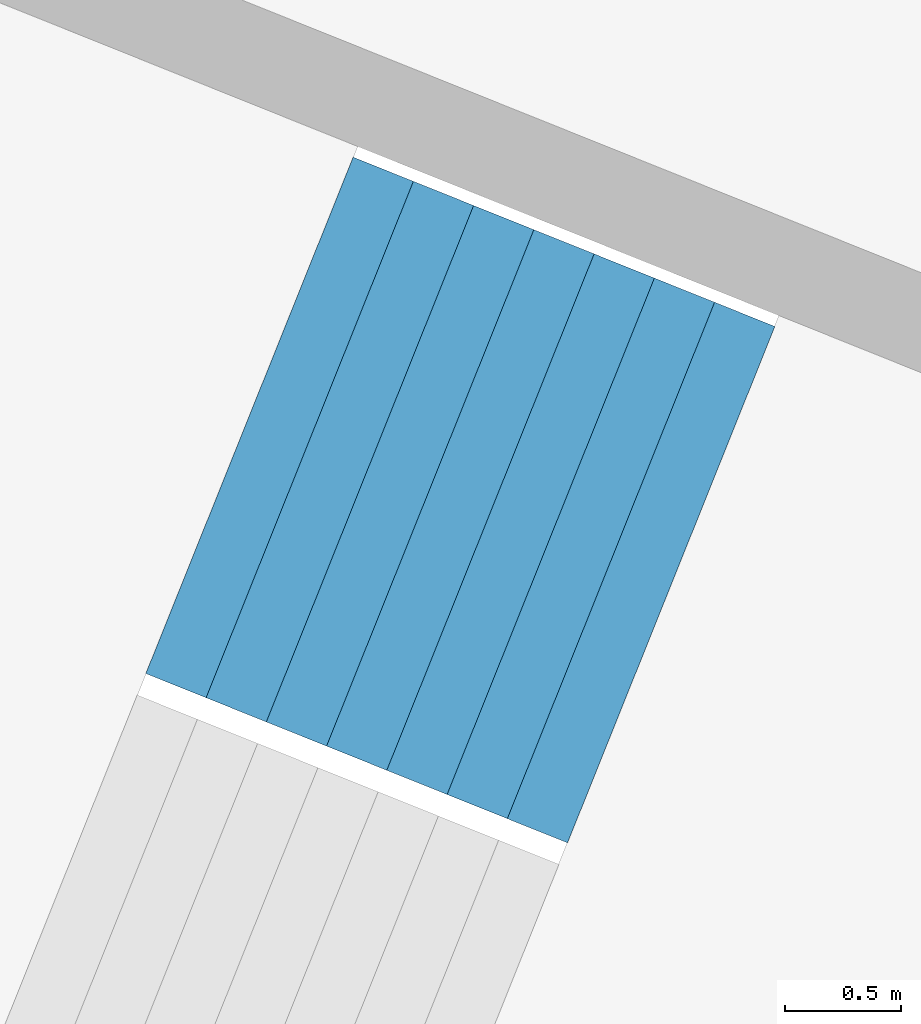
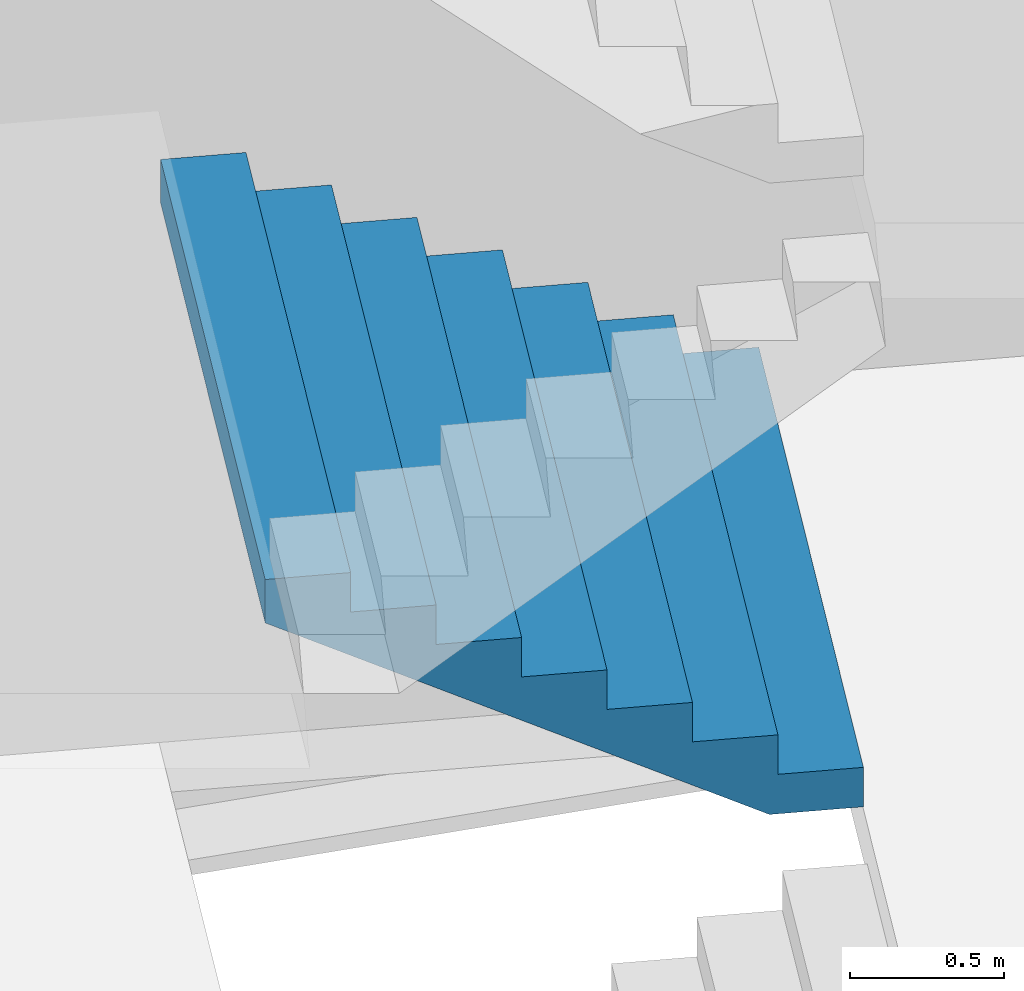
# One storey, part 51 of 73: 1 stair flight, 1 element without a shape of its own.
"""IFC4 building model written with IfcOpenShell, lengths in metres."""

from ifc_helpers import new_model, si_unit, direction, frame, origin, place, context, subcontext, project, spatial, triangles, material, type_object, element, aggregate, save


model = new_model("IFC4")

# Units and contexts
model_context = context("Model", 3, precision=1e-05, world=origin(), true_north=direction((0.0, 1.0)))
body_context = subcontext(model_context, "Body", "Model", "MODEL_VIEW")
ifc_project = project(units=[si_unit("LENGTHUNIT", "METRE"), si_unit("AREAUNIT", "SQUARE_METRE"), si_unit("VOLUMEUNIT", "CUBIC_METRE"), si_unit("PLANEANGLEUNIT", "RADIAN"), si_unit("MASSUNIT", "GRAM", prefix="KILO")], contexts=[model_context])

# Site, building, storey
site_placement = place(None, origin())
site = spatial("IfcSite", under=ifc_project, at=site_placement, CompositionType="ELEMENT")
building_placement = place(site_placement, origin())
building = spatial("IfcBuilding", under=site, at=building_placement, Name="Lantaw Convention Tower", CompositionType="ELEMENT")
storey_placement = place(building_placement, frame((0.0, 0.0, 22.0)))
storey = spatial("IfcBuildingStorey", under=building, at=storey_placement, Name="L03", CompositionType="ELEMENT", Elevation=22.0)

# Stair, stair flight
ifc_material = material(Name="Concrete C35/45", Category="concrete")
stair_type = type_object("IfcStairType", Name="Exit stair 2400 riser 156.25 in 4 flights", PredefinedType="HALF_TURN_STAIR", material=ifc_material)
stair_placement = place(storey_placement, origin())
stair = element("IfcStair", 1, at=stair_placement, inside=storey, type_object=stair_type, Name="Podium exit stair P12 L03", PredefinedType="HALF_TURN_STAIR")
stair_flight_type = type_object("IfcStairFlightType", Name="Stair flight 2400 riser 156.25", PredefinedType="STRAIGHT", material=ifc_material)
stair_flight_placement = place(storey_placement, frame((31.836669921875, -11.43359375, 1.25), z_axis=(0.0, 0.0, 1.0), x_axis=(-0.928015818512, 0.372540790506, 0.0)))
stair_flight = element("IfcStairFlight", 2, at=stair_flight_placement, type_object=stair_flight_type, Name="P12 flight 2", NumberOfRisers=8, NumberOfTreads=7, PredefinedType="STRAIGHT", RiserHeight=0.15625, TreadLength=0.28, context=body_context, shape_type="Tessellation", body=[
    triangles([(0.0, 1.199951171875, 0.0), (0.0, 1.199951171875, 0.15625), (0.28, 1.199951171875, 0.0), (0.28, 1.199951171875, 0.15625), (0.28, 1.199951171875, 0.3125), (0.3076200632058044, 1.199951171875, 0.0), (0.3076200632058044, 1.199951171875, 0.3125), (0.56, 1.199951171875, 0.14083701830033238), (0.56, 1.199951171875, 0.3125), (0.56, 1.199951171875, 0.46875), (0.8400000000000001, 1.199951171875, 0.29708701830033235), (0.8400000000000001, 1.199951171875, 0.46875), (0.8400000000000001, 1.199951171875, 0.625), (1.12, 1.199951171875, 0.45333701830033235), (1.12, 1.199951171875, 0.625), (1.12, 1.199951171875, 0.78125), (1.4000000000000001, 1.199951171875, 0.6095870183003324), (1.4000000000000001, 1.199951171875, 0.78125), (1.4000000000000001, 1.199951171875, 0.9375), (1.6800000000000002, 1.199951171875, 0.7658370183003324), (1.6800000000000002, 1.199951171875, 0.9375), (1.6800000000000002, 1.199951171875, 1.09375), (1.9600000000000002, 1.199951171875, 0.9220870183003324), (1.9600000000000002, 1.199951171875, 1.09375), (0.0, -1.199951171875, 0.0), (0.0, -1.199951171875, 0.15625), (0.28, -1.199951171875, 0.0), (0.28, -1.199951171875, 0.15625), (0.28, -1.199951171875, 0.3125), (0.3076200632058044, -1.199951171875, 0.0), (0.3076200632058044, -1.199951171875, 0.3125), (0.56, -1.199951171875, 0.14083701830033238), (0.56, -1.199951171875, 0.3125), (0.56, -1.199951171875, 0.46875), (0.8400000000000001, -1.199951171875, 0.29708701830033235), (0.8400000000000001, -1.199951171875, 0.46875), (0.8400000000000001, -1.199951171875, 0.625), (1.12, -1.199951171875, 0.45333701830033235), (1.12, -1.199951171875, 0.625), (1.12, -1.199951171875, 0.78125), (1.4000000000000001, -1.199951171875, 0.6095870183003324), (1.4000000000000001, -1.199951171875, 0.78125), (1.4000000000000001, -1.199951171875, 0.9375), (1.6800000000000002, -1.199951171875, 0.7658370183003324), (1.6800000000000002, -1.199951171875, 0.9375), (1.6800000000000002, -1.199951171875, 1.09375), (1.9600000000000002, -1.199951171875, 0.9220870183003324), (1.9600000000000002, -1.199951171875, 1.09375), (0.0, 0.239990234375, 0.15625), (0.0, 0.239990234375, 0.0), (0.0, 0.1919921875, 0.15625), (0.0, 0.1919921875, 0.0), (0.0, 0.143994140625, 0.15625), (0.0, 0.143994140625, 0.0), (0.0, 0.09599609375, 0.15625), (0.0, 0.09599609375, 0.0), (0.0, 0.047998046875, 0.15625), (0.0, 0.047998046875, 0.0), (0.0, 0.0, 0.15625), (0.0, 0.0, 0.0), (0.0, -0.047998046875, 0.15625), (0.0, -0.047998046875, 0.0), (0.0, -0.09599609375, 0.15625), (0.0, -0.09599609375, 0.0), (0.0, -0.143994140625, 0.15625), (0.0, -0.143994140625, 0.0), (0.0, -0.1919921875, 0.15625), (0.0, -0.1919921875, 0.0), (0.0, -0.239990234375, 0.15625), (0.0, -0.239990234375, 0.0), (0.28, 0.239990234375, 0.3125), (0.28, 0.239990234375, 0.15625), (0.28, 0.1919921875, 0.3125), (0.28, 0.1919921875, 0.15625), (0.28, 0.143994140625, 0.3125), (0.28, 0.143994140625, 0.15625), (0.28, 0.09599609375, 0.3125), (0.28, 0.09599609375, 0.15625), (0.28, 0.047998046875, 0.3125), (0.28, 0.047998046875, 0.15625), (0.28, 0.0, 0.3125), (0.28, 0.0, 0.15625), (0.28, -0.047998046875, 0.3125), (0.28, -0.047998046875, 0.15625), (0.28, -0.09599609375, 0.3125), (0.28, -0.09599609375, 0.15625), (0.28, -0.143994140625, 0.3125), (0.28, -0.143994140625, 0.15625), (0.28, -0.1919921875, 0.3125), (0.28, -0.1919921875, 0.15625), (0.28, -0.239990234375, 0.3125), (0.28, -0.239990234375, 0.15625), (0.56, 0.239990234375, 0.46875), (0.56, 0.239990234375, 0.3125), (0.56, 0.1919921875, 0.46875), (0.56, 0.1919921875, 0.3125), (0.56, 0.143994140625, 0.46875), (0.56, 0.143994140625, 0.3125), (0.56, 0.09599609375, 0.46875), (0.56, 0.09599609375, 0.3125), (0.56, 0.047998046875, 0.46875), (0.56, 0.047998046875, 0.3125), (0.56, 0.0, 0.46875), (0.56, 0.0, 0.3125), (0.56, -0.047998046875, 0.46875), (0.56, -0.047998046875, 0.3125), (0.56, -0.09599609375, 0.46875), (0.56, -0.09599609375, 0.3125), (0.56, -0.143994140625, 0.46875), (0.56, -0.143994140625, 0.3125), (0.56, -0.1919921875, 0.46875), (0.56, -0.1919921875, 0.3125), (0.56, -0.239990234375, 0.46875), (0.56, -0.239990234375, 0.3125), (0.8400000000000001, 0.239990234375, 0.625), (0.8400000000000001, 0.239990234375, 0.46875), (0.8400000000000001, 0.1919921875, 0.625), (0.8400000000000001, 0.1919921875, 0.46875), (0.8400000000000001, 0.143994140625, 0.625), (0.8400000000000001, 0.143994140625, 0.46875), (0.8400000000000001, 0.09599609375, 0.625), (0.8400000000000001, 0.09599609375, 0.46875), (0.8400000000000001, 0.047998046875, 0.625), (0.8400000000000001, 0.047998046875, 0.46875), (0.8400000000000001, 0.0, 0.625), (0.8400000000000001, 0.0, 0.46875), (0.8400000000000001, -0.047998046875, 0.625), (0.8400000000000001, -0.047998046875, 0.46875), (0.8400000000000001, -0.09599609375, 0.625), (0.8400000000000001, -0.09599609375, 0.46875), (0.8400000000000001, -0.143994140625, 0.625), (0.8400000000000001, -0.143994140625, 0.46875), (0.8400000000000001, -0.1919921875, 0.625), (0.8400000000000001, -0.1919921875, 0.46875), (0.8400000000000001, -0.239990234375, 0.625), (0.8400000000000001, -0.239990234375, 0.46875), (1.12, 0.239990234375, 0.78125), (1.12, 0.239990234375, 0.625), (1.12, 0.1919921875, 0.78125), (1.12, 0.1919921875, 0.625), (1.12, 0.143994140625, 0.78125), (1.12, 0.143994140625, 0.625), (1.12, 0.09599609375, 0.78125), (1.12, 0.09599609375, 0.625), (1.12, 0.047998046875, 0.78125), (1.12, 0.047998046875, 0.625), (1.12, 0.0, 0.78125), (1.12, 0.0, 0.625), (1.12, -0.047998046875, 0.78125), (1.12, -0.047998046875, 0.625), (1.12, -0.09599609375, 0.78125), (1.12, -0.09599609375, 0.625), (1.12, -0.143994140625, 0.78125), (1.12, -0.143994140625, 0.625), (1.12, -0.1919921875, 0.78125), (1.12, -0.1919921875, 0.625), (1.12, -0.239990234375, 0.78125), (1.12, -0.239990234375, 0.625), (1.4000000000000001, 0.239990234375, 0.9375), (1.4000000000000001, 0.239990234375, 0.78125), (1.4000000000000001, 0.1919921875, 0.9375), (1.4000000000000001, 0.1919921875, 0.78125), (1.4000000000000001, 0.143994140625, 0.9375), (1.4000000000000001, 0.143994140625, 0.78125), (1.4000000000000001, 0.09599609375, 0.9375), (1.4000000000000001, 0.09599609375, 0.78125), (1.4000000000000001, 0.047998046875, 0.9375), (1.4000000000000001, 0.047998046875, 0.78125), (1.4000000000000001, 0.0, 0.9375), (1.4000000000000001, 0.0, 0.78125), (1.4000000000000001, -0.047998046875, 0.9375), (1.4000000000000001, -0.047998046875, 0.78125), (1.4000000000000001, -0.09599609375, 0.9375), (1.4000000000000001, -0.09599609375, 0.78125), (1.4000000000000001, -0.143994140625, 0.9375), (1.4000000000000001, -0.143994140625, 0.78125), (1.4000000000000001, -0.1919921875, 0.9375), (1.4000000000000001, -0.1919921875, 0.78125), (1.4000000000000001, -0.239990234375, 0.9375), (1.4000000000000001, -0.239990234375, 0.78125), (1.6800000000000002, 0.239990234375, 1.09375), (1.6800000000000002, 0.239990234375, 0.9375), (1.6800000000000002, 0.1919921875, 1.09375), (1.6800000000000002, 0.1919921875, 0.9375), (1.6800000000000002, 0.143994140625, 1.09375), (1.6800000000000002, 0.143994140625, 0.9375), (1.6800000000000002, 0.09599609375, 1.09375), (1.6800000000000002, 0.09599609375, 0.9375), (1.6800000000000002, 0.047998046875, 1.09375), (1.6800000000000002, 0.047998046875, 0.9375), (1.6800000000000002, 0.0, 1.09375), (1.6800000000000002, 0.0, 0.9375), (1.6800000000000002, -0.047998046875, 1.09375), (1.6800000000000002, -0.047998046875, 0.9375), (1.6800000000000002, -0.09599609375, 1.09375), (1.6800000000000002, -0.09599609375, 0.9375), (1.6800000000000002, -0.143994140625, 1.09375), (1.6800000000000002, -0.143994140625, 0.9375), (1.6800000000000002, -0.1919921875, 1.09375), (1.6800000000000002, -0.1919921875, 0.9375), (1.6800000000000002, -0.239990234375, 1.09375), (1.6800000000000002, -0.239990234375, 0.9375), (0.3076200632058044, 0.239990234375, 0.3125), (0.3076200632058044, 0.1919921875, 0.3125), (0.3076200632058044, 0.143994140625, 0.3125), (0.3076200632058044, 0.09599609375, 0.3125), (0.3076200632058044, 0.047998046875, 0.3125), (0.3076200632058044, 0.0, 0.3125), (0.3076200632058044, -0.047998046875, 0.3125), (0.3076200632058044, -0.09599609375, 0.3125), (0.3076200632058044, -0.143994140625, 0.3125), (0.3076200632058044, -0.1919921875, 0.3125), (0.3076200632058044, -0.239990234375, 0.3125), (1.9600000000000002, 0.239990234375, 1.09375), (1.9600000000000002, 0.1919921875, 1.09375), (1.9600000000000002, 0.143994140625, 1.09375), (1.9600000000000002, 0.09599609375, 1.09375), (1.9600000000000002, 0.047998046875, 1.09375), (1.9600000000000002, 0.0, 1.09375), (1.9600000000000002, -0.047998046875, 1.09375), (1.9600000000000002, -0.09599609375, 1.09375), (1.9600000000000002, -0.143994140625, 1.09375), (1.9600000000000002, -0.1919921875, 1.09375), (1.9600000000000002, -0.239990234375, 1.09375), (1.9600000000000002, 0.239990234375, 0.9220870183003324), (1.9600000000000002, 0.1919921875, 0.9220870183003324), (1.9600000000000002, 0.143994140625, 0.9220870183003324), (1.9600000000000002, 0.09599609375, 0.9220870183003324), (1.9600000000000002, 0.047998046875, 0.9220870183003324), (1.9600000000000002, 0.0, 0.9220870183003324), (1.9600000000000002, -0.047998046875, 0.9220870183003324), (1.9600000000000002, -0.09599609375, 0.9220870183003324), (1.9600000000000002, -0.143994140625, 0.9220870183003324), (1.9600000000000002, -0.1919921875, 0.9220870183003324), (1.9600000000000002, -0.239990234375, 0.9220870183003324), (1.6800000000000002, 0.239990234375, 0.7658370183003324), (1.6800000000000002, 0.1919921875, 0.7658370183003324), (1.6800000000000002, 0.143994140625, 0.7658370183003324), (1.6800000000000002, 0.09599609375, 0.7658370183003324), (1.6800000000000002, 0.047998046875, 0.7658370183003324), (1.6800000000000002, 0.0, 0.7658370183003324), (1.6800000000000002, -0.047998046875, 0.7658370183003324), (1.6800000000000002, -0.09599609375, 0.7658370183003324), (1.6800000000000002, -0.143994140625, 0.7658370183003324), (1.6800000000000002, -0.1919921875, 0.7658370183003324), (1.6800000000000002, -0.239990234375, 0.7658370183003324), (1.4000000000000001, 0.239990234375, 0.6095870183003324), (1.4000000000000001, 0.1919921875, 0.6095870183003324), (1.4000000000000001, 0.143994140625, 0.6095870183003324), (1.4000000000000001, 0.09599609375, 0.6095870183003324), (1.4000000000000001, 0.047998046875, 0.6095870183003324), (1.4000000000000001, 0.0, 0.6095870183003324), (1.4000000000000001, -0.047998046875, 0.6095870183003324), (1.4000000000000001, -0.09599609375, 0.6095870183003324), (1.4000000000000001, -0.143994140625, 0.6095870183003324), (1.4000000000000001, -0.1919921875, 0.6095870183003324), (1.4000000000000001, -0.239990234375, 0.6095870183003324), (1.12, 0.239990234375, 0.45333701830033235), (1.12, 0.1919921875, 0.45333701830033235), (1.12, 0.143994140625, 0.45333701830033235), (1.12, 0.09599609375, 0.45333701830033235), (1.12, 0.047998046875, 0.45333701830033235), (1.12, 0.0, 0.45333701830033235), (1.12, -0.047998046875, 0.45333701830033235), (1.12, -0.09599609375, 0.45333701830033235), (1.12, -0.143994140625, 0.45333701830033235), (1.12, -0.1919921875, 0.45333701830033235), (1.12, -0.239990234375, 0.45333701830033235), (0.8400000000000001, 0.239990234375, 0.29708701830033235), (0.8400000000000001, 0.1919921875, 0.29708701830033235), (0.8400000000000001, 0.143994140625, 0.29708701830033235), (0.8400000000000001, 0.09599609375, 0.29708701830033235), (0.8400000000000001, 0.047998046875, 0.29708701830033235), (0.8400000000000001, 0.0, 0.29708701830033235), (0.8400000000000001, -0.047998046875, 0.29708701830033235), (0.8400000000000001, -0.09599609375, 0.29708701830033235), (0.8400000000000001, -0.143994140625, 0.29708701830033235), (0.8400000000000001, -0.1919921875, 0.29708701830033235), (0.8400000000000001, -0.239990234375, 0.29708701830033235), (0.56, 0.239990234375, 0.14083701830033238), (0.56, 0.1919921875, 0.14083701830033238), (0.56, 0.143994140625, 0.14083701830033238), (0.56, 0.09599609375, 0.14083701830033238), (0.56, 0.047998046875, 0.14083701830033238), (0.56, 0.0, 0.14083701830033238), (0.56, -0.047998046875, 0.14083701830033238), (0.56, -0.09599609375, 0.14083701830033238), (0.56, -0.143994140625, 0.14083701830033238), (0.56, -0.1919921875, 0.14083701830033238), (0.56, -0.239990234375, 0.14083701830033238), (0.3076200632058044, 0.239990234375, 0.0), (0.3076200632058044, 0.1919921875, 0.0), (0.3076200632058044, 0.143994140625, 0.0), (0.3076200632058044, 0.09599609375, 0.0), (0.3076200632058044, 0.047998046875, 0.0), (0.3076200632058044, 0.0, 0.0), (0.3076200632058044, -0.047998046875, 0.0), (0.3076200632058044, -0.09599609375, 0.0), (0.3076200632058044, -0.143994140625, 0.0), (0.3076200632058044, -0.1919921875, 0.0), (0.3076200632058044, -0.239990234375, 0.0), (0.28, 0.239990234375, 0.0), (0.28, 0.1919921875, 0.0), (0.28, 0.143994140625, 0.0), (0.28, 0.09599609375, 0.0), (0.28, 0.047998046875, 0.0), (0.28, 0.0, 0.0), (0.28, -0.047998046875, 0.0), (0.28, -0.09599609375, 0.0), (0.28, -0.143994140625, 0.0), (0.28, -0.1919921875, 0.0), (0.28, -0.239990234375, 0.0)], [[1, 4, 3], [1, 2, 4], [3, 4, 6], [4, 7, 6], [4, 5, 7], [6, 9, 8], [6, 7, 9], [8, 9, 11], [9, 12, 11], [9, 10, 12], [11, 12, 14], [12, 15, 14], [12, 13, 15], [14, 15, 17], [15, 18, 17], [15, 16, 18], [17, 18, 20], [18, 21, 20], [18, 19, 21], [20, 21, 23], [21, 24, 23], [21, 22, 24], [25, 27, 28], [25, 28, 26], [27, 30, 28], [28, 30, 31], [28, 31, 29], [30, 32, 33], [30, 33, 31], [32, 35, 33], [33, 35, 36], [33, 36, 34], [35, 38, 36], [36, 38, 39], [36, 39, 37], [38, 41, 39], [39, 41, 42], [39, 42, 40], [41, 44, 42], [42, 44, 45], [42, 45, 43], [44, 47, 45], [45, 47, 48], [45, 48, 46], [1, 49, 2], [1, 50, 49], [50, 51, 49], [50, 52, 51], [52, 53, 51], [52, 54, 53], [54, 55, 53], [54, 56, 55], [56, 57, 55], [56, 58, 57], [58, 59, 57], [58, 60, 59], [60, 61, 59], [60, 62, 61], [62, 63, 61], [62, 64, 63], [64, 65, 63], [64, 66, 65], [66, 67, 65], [66, 68, 67], [68, 69, 67], [68, 70, 69], [70, 26, 69], [70, 25, 26], [4, 71, 5], [4, 72, 71], [72, 73, 71], [72, 74, 73], [74, 75, 73], [74, 76, 75], [76, 77, 75], [76, 78, 77], [78, 79, 77], [78, 80, 79], [80, 81, 79], [80, 82, 81], [82, 83, 81], [82, 84, 83], [84, 85, 83], [84, 86, 85], [86, 87, 85], [86, 88, 87], [88, 89, 87], [88, 90, 89], [90, 91, 89], [90, 92, 91], [92, 29, 91], [92, 28, 29], [9, 93, 10], [9, 94, 93], [94, 95, 93], [94, 96, 95], [96, 97, 95], [96, 98, 97], [98, 99, 97], [98, 100, 99], [100, 101, 99], [100, 102, 101], [102, 103, 101], [102, 104, 103], [104, 105, 103], [104, 106, 105], [106, 107, 105], [106, 108, 107], [108, 109, 107], [108, 110, 109], [110, 111, 109], [110, 112, 111], [112, 113, 111], [112, 114, 113], [114, 34, 113], [114, 33, 34], [12, 115, 13], [12, 116, 115], [116, 117, 115], [116, 118, 117], [118, 119, 117], [118, 120, 119], [120, 121, 119], [120, 122, 121], [122, 123, 121], [122, 124, 123], [124, 125, 123], [124, 126, 125], [126, 127, 125], [126, 128, 127], [128, 129, 127], [128, 130, 129], [130, 131, 129], [130, 132, 131], [132, 133, 131], [132, 134, 133], [134, 135, 133], [134, 136, 135], [136, 37, 135], [136, 36, 37], [15, 137, 16], [15, 138, 137], [138, 139, 137], [138, 140, 139], [140, 141, 139], [140, 142, 141], [142, 143, 141], [142, 144, 143], [144, 145, 143], [144, 146, 145], [146, 147, 145], [146, 148, 147], [148, 149, 147], [148, 150, 149], [150, 151, 149], [150, 152, 151], [152, 153, 151], [152, 154, 153], [154, 155, 153], [154, 156, 155], [156, 157, 155], [156, 158, 157], [158, 40, 157], [158, 39, 40], [18, 159, 19], [18, 160, 159], [160, 161, 159], [160, 162, 161], [162, 163, 161], [162, 164, 163], [164, 165, 163], [164, 166, 165], [166, 167, 165], [166, 168, 167], [168, 169, 167], [168, 170, 169], [170, 171, 169], [170, 172, 171], [172, 173, 171], [172, 174, 173], [174, 175, 173], [174, 176, 175], [176, 177, 175], [176, 178, 177], [178, 179, 177], [178, 180, 179], [180, 43, 179], [180, 42, 43], [21, 181, 22], [21, 182, 181], [182, 183, 181], [182, 184, 183], [184, 185, 183], [184, 186, 185], [186, 187, 185], [186, 188, 187], [188, 189, 187], [188, 190, 189], [190, 191, 189], [190, 192, 191], [192, 193, 191], [192, 194, 193], [194, 195, 193], [194, 196, 195], [196, 197, 195], [196, 198, 197], [198, 199, 197], [198, 200, 199], [200, 201, 199], [200, 202, 201], [202, 46, 201], [202, 45, 46], [2, 72, 4], [2, 49, 72], [49, 74, 72], [49, 51, 74], [51, 76, 74], [51, 53, 76], [53, 78, 76], [53, 55, 78], [55, 80, 78], [55, 57, 80], [57, 82, 80], [57, 59, 82], [59, 84, 82], [59, 61, 84], [61, 86, 84], [61, 63, 86], [63, 88, 86], [63, 65, 88], [65, 90, 88], [65, 67, 90], [67, 92, 90], [67, 69, 92], [69, 28, 92], [69, 26, 28], [5, 203, 7], [5, 71, 203], [71, 204, 203], [71, 73, 204], [73, 205, 204], [73, 75, 205], [75, 206, 205], [75, 77, 206], [77, 207, 206], [77, 79, 207], [79, 208, 207], [79, 81, 208], [81, 209, 208], [81, 83, 209], [83, 210, 209], [83, 85, 210], [85, 211, 210], [85, 87, 211], [87, 212, 211], [87, 89, 212], [89, 213, 212], [89, 91, 213], [91, 31, 213], [91, 29, 31], [7, 94, 9], [7, 203, 94], [203, 96, 94], [203, 204, 96], [204, 98, 96], [204, 205, 98], [205, 100, 98], [205, 206, 100], [206, 102, 100], [206, 207, 102], [207, 104, 102], [207, 208, 104], [208, 106, 104], [208, 209, 106], [209, 108, 106], [209, 210, 108], [210, 110, 108], [210, 211, 110], [211, 112, 110], [211, 212, 112], [212, 114, 112], [212, 213, 114], [213, 33, 114], [213, 31, 33], [10, 116, 12], [10, 93, 116], [93, 118, 116], [93, 95, 118], [95, 120, 118], [95, 97, 120], [97, 122, 120], [97, 99, 122], [99, 124, 122], [99, 101, 124], [101, 126, 124], [101, 103, 126], [103, 128, 126], [103, 105, 128], [105, 130, 128], [105, 107, 130], [107, 132, 130], [107, 109, 132], [109, 134, 132], [109, 111, 134], [111, 136, 134], [111, 113, 136], [113, 36, 136], [113, 34, 36], [13, 138, 15], [13, 115, 138], [115, 140, 138], [115, 117, 140], [117, 142, 140], [117, 119, 142], [119, 144, 142], [119, 121, 144], [121, 146, 144], [121, 123, 146], [123, 148, 146], [123, 125, 148], [125, 150, 148], [125, 127, 150], [127, 152, 150], [127, 129, 152], [129, 154, 152], [129, 131, 154], [131, 156, 154], [131, 133, 156], [133, 158, 156], [133, 135, 158], [135, 39, 158], [135, 37, 39], [16, 160, 18], [16, 137, 160], [137, 162, 160], [137, 139, 162], [139, 164, 162], [139, 141, 164], [141, 166, 164], [141, 143, 166], [143, 168, 166], [143, 145, 168], [145, 170, 168], [145, 147, 170], [147, 172, 170], [147, 149, 172], [149, 174, 172], [149, 151, 174], [151, 176, 174], [151, 153, 176], [153, 178, 176], [153, 155, 178], [155, 180, 178], [155, 157, 180], [157, 42, 180], [157, 40, 42], [19, 182, 21], [19, 159, 182], [159, 184, 182], [159, 161, 184], [161, 186, 184], [161, 163, 186], [163, 188, 186], [163, 165, 188], [165, 190, 188], [165, 167, 190], [167, 192, 190], [167, 169, 192], [169, 194, 192], [169, 171, 194], [171, 196, 194], [171, 173, 196], [173, 198, 196], [173, 175, 198], [175, 200, 198], [175, 177, 200], [177, 202, 200], [177, 179, 202], [179, 45, 202], [179, 43, 45], [22, 214, 24], [22, 181, 214], [181, 215, 214], [181, 183, 215], [183, 216, 215], [183, 185, 216], [185, 217, 216], [185, 187, 217], [187, 218, 217], [187, 189, 218], [189, 219, 218], [189, 191, 219], [191, 220, 219], [191, 193, 220], [193, 221, 220], [193, 195, 221], [195, 222, 221], [195, 197, 222], [197, 223, 222], [197, 199, 223], [199, 224, 223], [199, 201, 224], [201, 48, 224], [201, 46, 48], [24, 225, 23], [24, 214, 225], [214, 226, 225], [214, 215, 226], [215, 227, 226], [215, 216, 227], [216, 228, 227], [216, 217, 228], [217, 229, 228], [217, 218, 229], [218, 230, 229], [218, 219, 230], [219, 231, 230], [219, 220, 231], [220, 232, 231], [220, 221, 232], [221, 233, 232], [221, 222, 233], [222, 234, 233], [222, 223, 234], [223, 235, 234], [223, 224, 235], [224, 47, 235], [224, 48, 47], [23, 236, 20], [23, 225, 236], [225, 237, 236], [225, 226, 237], [226, 238, 237], [226, 227, 238], [227, 239, 238], [227, 228, 239], [228, 240, 239], [228, 229, 240], [229, 241, 240], [229, 230, 241], [230, 242, 241], [230, 231, 242], [231, 243, 242], [231, 232, 243], [232, 244, 243], [232, 233, 244], [233, 245, 244], [233, 234, 245], [234, 246, 245], [234, 235, 246], [235, 44, 246], [235, 47, 44], [20, 247, 17], [20, 236, 247], [236, 248, 247], [236, 237, 248], [237, 249, 248], [237, 238, 249], [238, 250, 249], [238, 239, 250], [239, 251, 250], [239, 240, 251], [240, 252, 251], [240, 241, 252], [241, 253, 252], [241, 242, 253], [242, 254, 253], [242, 243, 254], [243, 255, 254], [243, 244, 255], [244, 256, 255], [244, 245, 256], [245, 257, 256], [245, 246, 257], [246, 41, 257], [246, 44, 41], [17, 258, 14], [17, 247, 258], [247, 259, 258], [247, 248, 259], [248, 260, 259], [248, 249, 260], [249, 261, 260], [249, 250, 261], [250, 262, 261], [250, 251, 262], [251, 263, 262], [251, 252, 263], [252, 264, 263], [252, 253, 264], [253, 265, 264], [253, 254, 265], [254, 266, 265], [254, 255, 266], [255, 267, 266], [255, 256, 267], [256, 268, 267], [256, 257, 268], [257, 38, 268], [257, 41, 38], [14, 269, 11], [14, 258, 269], [258, 270, 269], [258, 259, 270], [259, 271, 270], [259, 260, 271], [260, 272, 271], [260, 261, 272], [261, 273, 272], [261, 262, 273], [262, 274, 273], [262, 263, 274], [263, 275, 274], [263, 264, 275], [264, 276, 275], [264, 265, 276], [265, 277, 276], [265, 266, 277], [266, 278, 277], [266, 267, 278], [267, 279, 278], [267, 268, 279], [268, 35, 279], [268, 38, 35], [11, 280, 8], [11, 269, 280], [269, 281, 280], [269, 270, 281], [270, 282, 281], [270, 271, 282], [271, 283, 282], [271, 272, 283], [272, 284, 283], [272, 273, 284], [273, 285, 284], [273, 274, 285], [274, 286, 285], [274, 275, 286], [275, 287, 286], [275, 276, 287], [276, 288, 287], [276, 277, 288], [277, 289, 288], [277, 278, 289], [278, 290, 289], [278, 279, 290], [279, 32, 290], [279, 35, 32], [8, 291, 6], [8, 280, 291], [280, 292, 291], [280, 281, 292], [281, 293, 292], [281, 282, 293], [282, 294, 293], [282, 283, 294], [283, 295, 294], [283, 284, 295], [284, 296, 295], [284, 285, 296], [285, 297, 296], [285, 286, 297], [286, 298, 297], [286, 287, 298], [287, 299, 298], [287, 288, 299], [288, 300, 299], [288, 289, 300], [289, 301, 300], [289, 290, 301], [290, 30, 301], [290, 32, 30], [6, 302, 3], [6, 291, 302], [291, 303, 302], [291, 292, 303], [292, 304, 303], [292, 293, 304], [293, 305, 304], [293, 294, 305], [294, 306, 305], [294, 295, 306], [295, 307, 306], [295, 296, 307], [296, 308, 307], [296, 297, 308], [297, 309, 308], [297, 298, 309], [298, 310, 309], [298, 299, 310], [299, 311, 310], [299, 300, 311], [300, 312, 311], [300, 301, 312], [301, 27, 312], [301, 30, 27], [3, 50, 1], [3, 302, 50], [302, 52, 50], [302, 303, 52], [303, 54, 52], [303, 304, 54], [304, 56, 54], [304, 305, 56], [305, 58, 56], [305, 306, 58], [306, 60, 58], [306, 307, 60], [307, 62, 60], [307, 308, 62], [308, 64, 62], [308, 309, 64], [309, 66, 64], [309, 310, 66], [310, 68, 66], [310, 311, 68], [311, 70, 68], [311, 312, 70], [312, 25, 70], [312, 27, 25]], closed=True),
])
aggregate(stair, [stair_flight])

save(model, "model.ifc")
